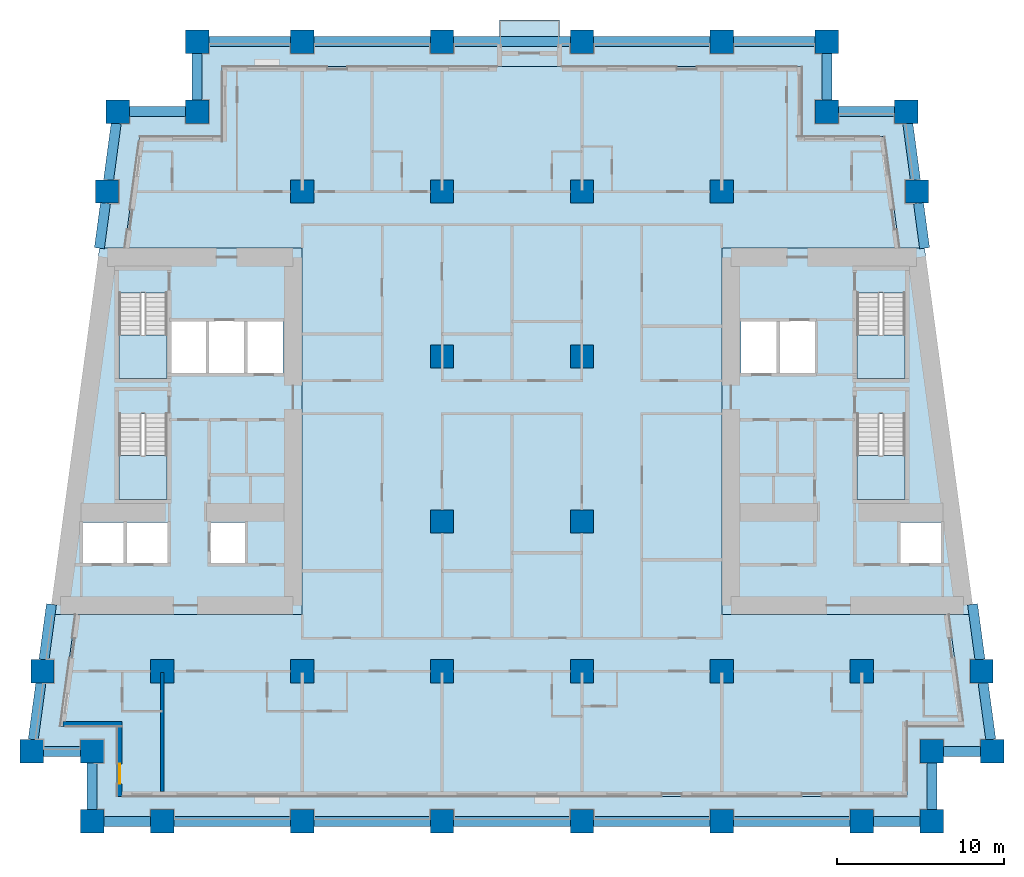
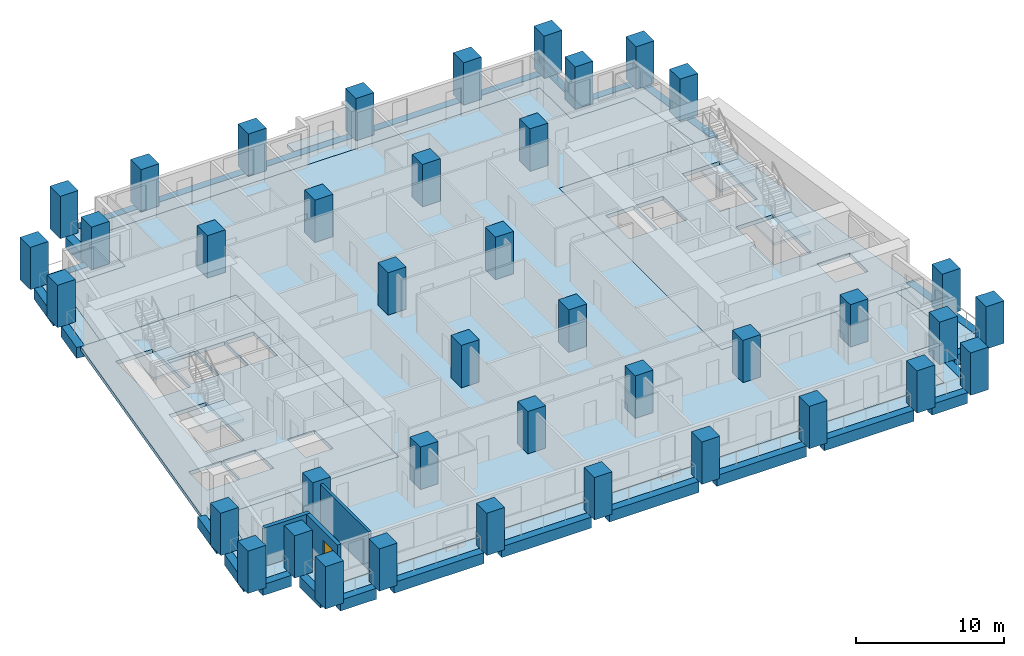
# One storey, part 1 of 13: 40 columns, 28 beams, 10 slabs, 3 walls, 1 door, 1 opening, 4 elements without a shape of their own.
"""IFC4 building model written with IfcOpenShell, lengths in metres."""

from ifc_helpers import new_model, si_unit, direction, frame, frame_2d, origin, origin_2d, place, context, subcontext, project, spatial, polyline, rectangle, outline, extrude, material, layer, layer_set, material_profile, profile_set, type_object, element, fill, aggregate, save


model = new_model("IFC4")

# Units and contexts
model_context = context("Model", 3, precision=1e-05, world=origin(), true_north=direction((0.0, 1.0)))
body_context = subcontext(model_context, "Body", "Model", "MODEL_VIEW")
ifc_project = project(units=[si_unit("LENGTHUNIT", "METRE"), si_unit("AREAUNIT", "SQUARE_METRE"), si_unit("VOLUMEUNIT", "CUBIC_METRE"), si_unit("PLANEANGLEUNIT", "RADIAN"), si_unit("MASSUNIT", "GRAM", prefix="KILO")], contexts=[model_context])

# Site, building, storey
site_placement = place(None, origin())
site = spatial("IfcSite", under=ifc_project, at=site_placement, CompositionType="ELEMENT")
building_placement = place(site_placement, origin())
building = spatial("IfcBuilding", under=site, at=building_placement, Name="Candeia Pilgrim Tower and Theatre", CompositionType="ELEMENT")
storey_placement = place(building_placement, frame((0.0, 0.0, 63.5)))
storey = spatial("IfcBuildingStorey", under=building, at=storey_placement, Name="L13", CompositionType="ELEMENT", Elevation=63.5)

# Columns
ifc_material_1 = material(Name="Concrete C80/95", Category="concrete")
ifc_material_profile_1 = material_profile(ifc_material_1, rectangle(XDim=1.39990234375, YDim=1.39990234375, at=origin_2d()))
ifc_profile_set_1 = profile_set([ifc_material_profile_1], Name="Concrete C80/95")
column_type = type_object("IfcColumnType", Name="RC 1400x1400 C80/95", PredefinedType="COLUMN", material=ifc_profile_set_1)
for number, where, z_axis, x_axis, name in (
    (1, (92.39990234375, 98.0, 0.0), (0.0, 0.0, 1.0), (1.0, 0.0, 0.0), "Column A1"),
    (2, (100.800048828125, 98.0, 0.0), (0.0, 0.0, 1.0), (1.0, 0.0, 0.0), "Column A2"),
    (3, (109.199951171875, 98.0, 0.0), (0.0, 0.0, 1.0), (1.0, 0.0, 0.0), "Column A3"),
    (4, (117.60009765625, 98.0, 0.0), (0.0, 0.0, 1.0), (1.0, 0.0, 0.0), "Column A4"),
    (5, (126.0, 98.0, 0.0), (0.0, 0.0, 1.0), (1.0, 0.0, 0.0), "Column A5"),
    (6, (134.39990234375, 98.0, 0.0), (0.0, 0.0, 1.0), (1.0, 0.0, 0.0), "Column A6"),
    (7, (88.199951171875, 98.0, 0.0), (0.0, 0.0, 1.0), (1.0, 0.0, 0.0), "Column AW"),
    (8, (138.60009765625, 98.0, 0.0), (0.0, 0.0, 1.0), (1.0, 0.0, 0.0), "Column AE"),
    (9, (88.199951171875, 102.199951171875, 0.0), (0.0, 0.0, 1.0), (1.0, 0.0, 0.0), "Column NSW"),
    (10, (138.60009765625, 102.199951171875, 0.0), (0.0, 0.0, 1.0), (1.0, 0.0, 0.0), "Column NSE"),
    (11, (94.5, 140.60009765625, 0.0), (0.0, 0.0, 1.0), (1.0, 0.0, 0.0), "Column NNW"),
    (12, (132.300048828125, 140.60009765625, 0.0), (0.0, 0.0, 1.0), (1.0, 0.0, 0.0), "Column NNE"),
    (13, (84.5654296875, 102.199951171875, 0.0), (0.0, 0.0, 1.0), (1.0, 0.0, 0.0), "Column LSW"),
    (14, (142.234619140625, 102.199951171875, 0.0), (0.0, 0.0, 1.0), (1.0, 0.0, 0.0), "Column LSE"),
    (15, (89.734619140625, 140.60009765625, 0.0), (0.0, 0.0, 1.0), (1.0, 0.0, 0.0), "Column LNW"),
    (16, (137.0654296875, 140.60009765625, 0.0), (0.0, 0.0, 1.0), (1.0, 0.0, 0.0), "Column LNE"),
    (17, (92.39990234375, 107.0, 0.0), (0.0, 0.0, 1.0), (1.0, 0.0, 0.0), "Column B1"),
    (18, (100.800048828125, 107.0, 0.0), (0.0, 0.0, 1.0), (1.0, 0.0, 0.0), "Column B2"),
    (19, (109.199951171875, 107.0, 0.0), (0.0, 0.0, 1.0), (1.0, 0.0, 0.0), "Column B3"),
    (20, (117.60009765625, 107.0, 0.0), (0.0, 0.0, 1.0), (1.0, 0.0, 0.0), "Column B4"),
    (21, (126.0, 107.0, 0.0), (0.0, 0.0, 1.0), (1.0, 0.0, 0.0), "Column B5"),
    (22, (134.39990234375, 107.0, 0.0), (0.0, 0.0, 1.0), (1.0, 0.0, 0.0), "Column B6"),
    (23, (85.21142578125, 107.0, 0.0), (0.0, 0.0, 1.0), (1.0, 0.0, 0.0), "Column BW"),
    (24, (141.58837890625, 107.0, 0.0), (0.0, 0.0, 1.0), (1.0, 0.0, 0.0), "Column BE"),
    (25, (109.199951171875, 116.0, 0.0), (0.0, 0.0, 1.0), (1.0, 0.0, 0.0), "Column C3"),
    (26, (117.60009765625, 116.0, 0.0), (0.0, 0.0, 1.0), (1.0, 0.0, 0.0), "Column C4"),
    (27, (109.199951171875, 125.89990234375, 0.0), (0.0, 0.0, 1.0), (1.0, 0.0, 0.0), "Column D3"),
    (28, (117.60009765625, 125.89990234375, 0.0), (0.0, 0.0, 1.0), (1.0, 0.0, 0.0), "Column D4"),
    (29, (100.800048828125, 135.800048828125, 0.0), (0.0, 0.0, 1.0), (1.0, 0.0, 0.0), "Column E2"),
    (30, (109.199951171875, 135.800048828125, 0.0), (0.0, 0.0, 1.0), (1.0, 0.0, 0.0), "Column E3"),
    (31, (117.60009765625, 135.800048828125, 0.0), (0.0, 0.0, 1.0), (1.0, 0.0, 0.0), "Column E4"),
    (32, (126.0, 135.800048828125, 0.0), (0.0, 0.0, 1.0), (1.0, 0.0, 0.0), "Column E5"),
    (33, (89.08837890625, 135.800048828125, 0.0), (0.0, 0.0, 1.0), (1.0, 0.0, 0.0), "Column EW"),
    (34, (137.71142578125, 135.800048828125, 0.0), (0.0, 0.0, 1.0), (1.0, 0.0, 0.0), "Column EE"),
    (35, (100.800048828125, 144.800048828125, 0.0), (0.0, 0.0, 1.0), (1.0, 0.0, 0.0), "Column F2"),
    (36, (109.199951171875, 144.800048828125, 0.0), (0.0, 0.0, 1.0), (1.0, 0.0, 0.0), "Column F3"),
    (37, (117.60009765625, 144.800048828125, 0.0), (0.0, 0.0, 1.0), (1.0, 0.0, 0.0), "Column F4"),
    (38, (126.0, 144.800048828125, 0.0), (0.0, 0.0, 1.0), (1.0, 0.0, 0.0), "Column F5"),
    (39, (94.5, 144.800048828125, 0.0), (0.0, 0.0, 1.0), (1.0, 0.0, 0.0), "Column FW"),
    (40, (132.300048828125, 144.800048828125, 0.0), (0.0, 0.0, 1.0), (1.0, 0.0, 0.0), "Column FE"),
):
    element("IfcColumn", number, at=place(storey_placement, frame(where, z_axis=z_axis, x_axis=x_axis)), inside=storey, type_object=column_type, Name=name, PredefinedType="COLUMN", context=body_context, shape_type="SweptSolid", body=[
        extrude(rectangle(XDim=1.39990234375, YDim=1.39990234375, at=origin_2d()), origin(), (0.0, 0.0, 1.0), 3.5),
    ])

# Beams
ifc_material_profile_2 = material_profile(ifc_material_1, rectangle(XDim=0.60009765625, YDim=0.89990234375, at=origin_2d()))
ifc_profile_set_2 = profile_set([ifc_material_profile_2], Name="Concrete C80/95")
beam_type = type_object("IfcBeamType", Name="RC 600x900 C80/95", PredefinedType="BEAM", material=ifc_profile_set_2)
beam_1_placement = place(storey_placement, frame((88.89990234375, 98.0, -0.449951171875), z_axis=(1.0, 0.0, 0.0), x_axis=(0.0, 1.0, 0.0)))
element("IfcBeam", 41, at=beam_1_placement, inside=storey, type_object=beam_type, Name="Spandrel beam L13-01", PredefinedType="BEAM", context=body_context, shape_type="SweptSolid", body=[
    extrude(rectangle(XDim=0.60009765625, YDim=0.89990234375, at=origin_2d()), origin(), (0.0, 0.0, 1.0), 2.800048828125),
])
for number, where, z_axis, x_axis, name in (
    (42, (93.10009765625, 98.0, -0.449951171875), (1.0, 0.0, 0.0), (0.0, 1.0, 0.0), "Spandrel beam L13-02"),
    (43, (101.5, 98.0, -0.449951171875), (1.0, 0.0, 0.0), (0.0, 1.0, 0.0), "Spandrel beam L13-03"),
    (44, (109.89990234375, 98.0, -0.449951171875), (1.0, 0.0, 0.0), (0.0, 1.0, 0.0), "Spandrel beam L13-04"),
    (45, (118.300048828125, 98.0, -0.449951171875), (1.0, 0.0, 0.0), (0.0, 1.0, 0.0), "Spandrel beam L13-05"),
    (46, (126.699951171875, 98.0, -0.449951171875), (1.0, 0.0, 0.0), (0.0, 1.0, 0.0), "Spandrel beam L13-06"),
):
    element("IfcBeam", number, at=place(storey_placement, frame(where, z_axis=z_axis, x_axis=x_axis)), inside=storey, type_object=beam_type, Name=name, PredefinedType="BEAM", context=body_context, shape_type="SweptSolid", body=[
        extrude(rectangle(XDim=0.60009765625, YDim=0.89990234375, at=origin_2d()), origin(), (0.0, 0.0, 1.0), 7.0),
    ])
beam_2_placement = place(storey_placement, frame((135.10009765625, 98.0, -0.449951171875), z_axis=(1.0, 0.0, 0.0), x_axis=(0.0, 1.0, 0.0)))
element("IfcBeam", 47, at=beam_2_placement, inside=storey, type_object=beam_type, Name="Spandrel beam L13-07", PredefinedType="BEAM", context=body_context, shape_type="SweptSolid", body=[
    extrude(rectangle(XDim=0.60009765625, YDim=0.89990234375, at=origin_2d()), origin(), (0.0, 0.0, 1.0), 2.7998046875),
])
beam_3_placement = place(storey_placement, frame((138.60009765625, 98.699951171875, -0.449951171875), z_axis=(0.0, 1.0, 0.0), x_axis=(-1.0, 0.0, 0.0)))
element("IfcBeam", 48, at=beam_3_placement, inside=storey, type_object=beam_type, Name="Spandrel beam L13-08", PredefinedType="BEAM", context=body_context, shape_type="SweptSolid", body=[
    extrude(rectangle(XDim=0.60009765625, YDim=0.89990234375, at=origin_2d()), origin(), (0.0, 0.0, 1.0), 2.800048828125),
])
beam_4_placement = place(storey_placement, frame((139.300048828125, 102.199951171875, -0.449951171875), z_axis=(1.0, 0.0, 0.0), x_axis=(0.0, 1.0, 0.0)))
element("IfcBeam", 49, at=beam_4_placement, inside=storey, type_object=beam_type, Name="Spandrel beam L13-09", PredefinedType="BEAM", context=body_context, shape_type="SweptSolid", body=[
    extrude(rectangle(XDim=0.60009765625, YDim=0.89990234375, at=origin_2d()), origin(), (0.0, 0.0, 1.0), 2.234619140625),
])
beam_5_placement = place(storey_placement, frame((142.140380859375, 102.89990234375, -0.449951171875), z_axis=(-0.133426797477, 0.991058671177, 0.0), x_axis=(-0.991058671177, -0.133426797477, 0.0)))
element("IfcBeam", 50, at=beam_5_placement, inside=storey, type_object=beam_type, Name="Spandrel beam L13-10", PredefinedType="BEAM", context=body_context, shape_type="SweptSolid", body=[
    extrude(rectangle(XDim=0.60009765625, YDim=0.89990234375, at=origin_2d()), origin(), (0.0, 0.0, 1.0), 3.430908203125),
])
beam_6_placement = place(storey_placement, frame((141.494140625, 107.699951171875, -0.449951171875), z_axis=(-0.13337488337, 0.991065659019, 0.0), x_axis=(-0.991065659019, -0.13337488337, 0.0)))
element("IfcBeam", 51, at=beam_6_placement, inside=storey, type_object=beam_type, Name="Spandrel beam L13-11", PredefinedType="BEAM", context=body_context, shape_type="SweptSolid", body=[
    extrude(rectangle(XDim=0.60009765625, YDim=0.89990234375, at=origin_2d()), origin(), (0.0, 0.0, 1.0), 3.353515625),
])
beam_7_placement = place(storey_placement, frame((138.169189453125, 132.39990234375, -0.449951171875), z_axis=(-0.133425552527, 0.991058838784, 0.0), x_axis=(-0.991058838784, -0.133425552527, 0.0)))
element("IfcBeam", 52, at=beam_7_placement, inside=storey, type_object=beam_type, Name="Spandrel beam L13-12", PredefinedType="BEAM", context=body_context, shape_type="SweptSolid", body=[
    extrude(rectangle(XDim=0.60009765625, YDim=0.89990234375, at=origin_2d()), origin(), (0.0, 0.0, 1.0), 2.724609375),
])
beam_8_placement = place(storey_placement, frame((137.6171875, 136.5, -0.449951171875), z_axis=(-0.13336630817, 0.991066813008, 0.0), x_axis=(-0.991066813008, -0.13336630817, 0.0)))
element("IfcBeam", 53, at=beam_8_placement, inside=storey, type_object=beam_type, Name="Spandrel beam L13-13", PredefinedType="BEAM", context=body_context, shape_type="SweptSolid", body=[
    extrude(rectangle(XDim=0.60009765625, YDim=0.89990234375, at=origin_2d()), origin(), (0.0, 0.0, 1.0), 3.4306640625),
])
beam_9_placement = place(storey_placement, frame((136.365478515625, 140.60009765625, -0.449951171875), z_axis=(-1.0, 0.0, 0.0), x_axis=(0.0, -1.0, 0.0)))
element("IfcBeam", 54, at=beam_9_placement, inside=storey, type_object=beam_type, Name="Spandrel beam L13-14", PredefinedType="BEAM", context=body_context, shape_type="SweptSolid", body=[
    extrude(rectangle(XDim=0.60009765625, YDim=0.89990234375, at=origin_2d()), origin(), (0.0, 0.0, 1.0), 3.365478515625),
])
beam_10_placement = place(storey_placement, frame((132.300048828125, 141.300048828125, -0.449951171875), z_axis=(0.0, 1.0, 0.0), x_axis=(-1.0, 0.0, 0.0)))
element("IfcBeam", 55, at=beam_10_placement, inside=storey, type_object=beam_type, Name="Spandrel beam L13-15", PredefinedType="BEAM", context=body_context, shape_type="SweptSolid", body=[
    extrude(rectangle(XDim=0.60009765625, YDim=0.89990234375, at=origin_2d()), origin(), (0.0, 0.0, 1.0), 2.800048828125),
])
beam_11_placement = place(storey_placement, frame((131.60009765625, 144.800048828125, -0.449951171875), z_axis=(-1.0, 0.0, 0.0), x_axis=(0.0, -1.0, 0.0)))
element("IfcBeam", 56, at=beam_11_placement, inside=storey, type_object=beam_type, Name="Spandrel beam L13-16", PredefinedType="BEAM", context=body_context, shape_type="SweptSolid", body=[
    extrude(rectangle(XDim=0.60009765625, YDim=0.89990234375, at=origin_2d()), origin(), (0.0, 0.0, 1.0), 4.900146484375),
])
for number, where, z_axis, x_axis, name in (
    (57, (125.300048828125, 144.800048828125, -0.449951171875), (-1.0, 0.0, 0.0), (0.0, -1.0, 0.0), "Spandrel beam L13-17"),
    (58, (116.89990234375, 144.800048828125, -0.449951171875), (-1.0, 0.0, 0.0), (0.0, -1.0, 0.0), "Spandrel beam L13-18"),
    (59, (108.5, 144.800048828125, -0.449951171875), (-1.0, 0.0, 0.0), (0.0, -1.0, 0.0), "Spandrel beam L13-19"),
):
    element("IfcBeam", number, at=place(storey_placement, frame(where, z_axis=z_axis, x_axis=x_axis)), inside=storey, type_object=beam_type, Name=name, PredefinedType="BEAM", context=body_context, shape_type="SweptSolid", body=[
        extrude(rectangle(XDim=0.60009765625, YDim=0.89990234375, at=origin_2d()), origin(), (0.0, 0.0, 1.0), 7.0),
    ])
beam_12_placement = place(storey_placement, frame((100.10009765625, 144.800048828125, -0.449951171875), z_axis=(-1.0, 0.0, 0.0), x_axis=(0.0, -1.0, 0.0)))
element("IfcBeam", 60, at=beam_12_placement, inside=storey, type_object=beam_type, Name="Spandrel beam L13-20", PredefinedType="BEAM", context=body_context, shape_type="SweptSolid", body=[
    extrude(rectangle(XDim=0.60009765625, YDim=0.89990234375, at=origin_2d()), origin(), (0.0, 0.0, 1.0), 4.900146484375),
])
beam_13_placement = place(storey_placement, frame((94.5, 144.10009765625, -0.449951171875), z_axis=(0.0, -1.0, 0.0), x_axis=(1.0, 0.0, 0.0)))
element("IfcBeam", 61, at=beam_13_placement, inside=storey, type_object=beam_type, Name="Spandrel beam L13-21", PredefinedType="BEAM", context=body_context, shape_type="SweptSolid", body=[
    extrude(rectangle(XDim=0.60009765625, YDim=0.89990234375, at=origin_2d()), origin(), (0.0, 0.0, 1.0), 2.800048828125),
])
beam_14_placement = place(storey_placement, frame((93.800048828125, 140.60009765625, -0.449951171875), z_axis=(-1.0, 0.0, 0.0), x_axis=(0.0, -1.0, 0.0)))
element("IfcBeam", 62, at=beam_14_placement, inside=storey, type_object=beam_type, Name="Spandrel beam L13-22", PredefinedType="BEAM", context=body_context, shape_type="SweptSolid", body=[
    extrude(rectangle(XDim=0.60009765625, YDim=0.89990234375, at=origin_2d()), origin(), (0.0, 0.0, 1.0), 3.365478515625),
])
beam_15_placement = place(storey_placement, frame((89.640380859375, 139.89990234375, -0.449951171875), z_axis=(-0.133436208017, -0.991057404185, 0.0), x_axis=(0.991057404185, -0.133436208017, 0.0)))
element("IfcBeam", 63, at=beam_15_placement, inside=storey, type_object=beam_type, Name="Spandrel beam L13-23", PredefinedType="BEAM", context=body_context, shape_type="SweptSolid", body=[
    extrude(rectangle(XDim=0.60009765625, YDim=0.89990234375, at=origin_2d()), origin(), (0.0, 0.0, 1.0), 3.4306640625),
])
beam_16_placement = place(storey_placement, frame((88.994140625, 135.10009765625, -0.449951171875), z_axis=(-0.133337538686, -0.991070684047, 0.0), x_axis=(0.991070684047, -0.133337538686, 0.0)))
element("IfcBeam", 64, at=beam_16_placement, inside=storey, type_object=beam_type, Name="Spandrel beam L13-24", PredefinedType="BEAM", context=body_context, shape_type="SweptSolid", body=[
    extrude(rectangle(XDim=0.60009765625, YDim=0.89990234375, at=origin_2d()), origin(), (0.0, 0.0, 1.0), 2.724609375),
])
beam_17_placement = place(storey_placement, frame((85.753173828125, 111.0234375, -0.449951171875), z_axis=(-0.133446390132, -0.991056033209, 0.0), x_axis=(0.991056033209, -0.133446390132, 0.0)))
element("IfcBeam", 65, at=beam_17_placement, inside=storey, type_object=beam_type, Name="Spandrel beam L13-25", PredefinedType="BEAM", context=body_context, shape_type="SweptSolid", body=[
    extrude(rectangle(XDim=0.60009765625, YDim=0.89990234375, at=origin_2d()), origin(), (0.0, 0.0, 1.0), 3.353515625),
])
beam_18_placement = place(storey_placement, frame((85.1171875, 106.300048828125, -0.449951171875), z_axis=(-0.133356902381, -0.991068078685, 0.0), x_axis=(0.991068078685, -0.133356902381, 0.0)))
element("IfcBeam", 66, at=beam_18_placement, inside=storey, type_object=beam_type, Name="Spandrel beam L13-26", PredefinedType="BEAM", context=body_context, shape_type="SweptSolid", body=[
    extrude(rectangle(XDim=0.60009765625, YDim=0.89990234375, at=origin_2d()), origin(), (0.0, 0.0, 1.0), 3.430908203125),
])
beam_19_placement = place(storey_placement, frame((85.265380859375, 102.199951171875, -0.449951171875), z_axis=(1.0, 0.0, 0.0), x_axis=(0.0, 1.0, 0.0)))
element("IfcBeam", 67, at=beam_19_placement, inside=storey, type_object=beam_type, Name="Spandrel beam L13-27", PredefinedType="BEAM", context=body_context, shape_type="SweptSolid", body=[
    extrude(rectangle(XDim=0.60009765625, YDim=0.89990234375, at=origin_2d()), origin(), (0.0, 0.0, 1.0), 2.234619140625),
])
beam_20_placement = place(storey_placement, frame((88.199951171875, 101.5, -0.449951171875), z_axis=(0.0, -1.0, 0.0), x_axis=(1.0, 0.0, 0.0)))
element("IfcBeam", 68, at=beam_20_placement, inside=storey, type_object=beam_type, Name="Spandrel beam L13-28", PredefinedType="BEAM", context=body_context, shape_type="SweptSolid", body=[
    extrude(rectangle(XDim=0.60009765625, YDim=0.89990234375, at=origin_2d()), origin(), (0.0, 0.0, 1.0), 2.800048828125),
])

# Slabs
ifc_material_2 = material(Name="Concrete C40/50", Category="concrete")
ifc_layer_1 = layer(ifc_material_2, 0.25)
ifc_layer_set_1 = layer_set([ifc_layer_1], Name="BK1 balcony slab 250")
slab_type_1 = type_object("IfcSlabType", Name="BK1 balcony slab 250", PredefinedType="USERDEFINED", material=ifc_layer_set_1)
slab_1_placement = place(storey_placement, frame((0.0, 0.0, -0.25)))
element("IfcSlab", 69, at=slab_1_placement, inside=storey, type_object=slab_type_1, Name="Balcony L13", ObjectType="BALCONY", PredefinedType="USERDEFINED", context=body_context, shape_type="SweptSolid", body=[
    extrude(outline(polyline([(112.64990234375, 144.5), (116.25, 144.5), (116.25, 146.10009765625), (112.64990234375, 146.10009765625), (112.64990234375, 144.5)])), origin(), (0.0, 0.0, 1.0), 0.25),
])
ifc_material_3 = material(Name="Concrete C60/75", Category="concrete")
ifc_layer_2 = layer(ifc_material_3, 0.320068359375)
ifc_layer_set_2 = layer_set([ifc_layer_2], Name="FS-CORE 320 core floor")
slab_type_2 = type_object("IfcSlabType", Name="FS-CORE 320 core floor", PredefinedType="FLOOR", material=ifc_layer_set_2)
slab_2_placement = place(storey_placement, frame((0.0, 0.0, -0.320068359375)))
element("IfcSlab", 70, at=slab_2_placement, inside=storey, type_object=slab_type_2, Name="Core floor W L13", PredefinedType="FLOOR", context=body_context, shape_type="SweptSolid", body=[
    extrude(outline(polyline([(100.800048828125, 132.39990234375), (100.800048828125, 110.39990234375), (85.669189453125, 110.39990234375), (88.630859375, 132.39990234375), (100.800048828125, 132.39990234375)]), holes=[polyline([(97.458984375, 128.050048828125), (97.458984375, 124.85009765625), (99.64990234375, 124.85009765625), (99.64990234375, 128.050048828125), (97.458984375, 128.050048828125)]), polyline([(95.277099609375, 115.949951171875), (95.277099609375, 113.449951171875), (97.41357421875, 113.449951171875), (97.41357421875, 115.949951171875), (95.277099609375, 115.949951171875)]), polyline([(95.16796875, 128.050048828125), (95.16796875, 124.85009765625), (97.35888671875, 124.85009765625), (97.35888671875, 128.050048828125), (95.16796875, 128.050048828125)]), polyline([(92.876953125, 128.050048828125), (92.876953125, 124.85009765625), (95.068115234375, 124.85009765625), (95.068115234375, 128.050048828125), (92.876953125, 128.050048828125)]), polyline([(90.228515625, 115.949951171875), (90.228515625, 113.449951171875), (92.777099609375, 113.449951171875), (92.777099609375, 115.949951171875), (90.228515625, 115.949951171875)]), polyline([(89.802001953125, 122.455078125), (89.802001953125, 117.324951171875), (92.701904296875, 117.324951171875), (92.701904296875, 122.455078125), (89.802001953125, 122.455078125)]), polyline([(89.802001953125, 129.705078125), (89.802001953125, 124.574951171875), (92.701904296875, 124.574951171875), (92.701904296875, 129.705078125), (89.802001953125, 129.705078125)]), polyline([(87.580078125, 115.949951171875), (87.580078125, 113.449951171875), (90.12841796875, 113.449951171875), (90.12841796875, 115.949951171875), (87.580078125, 115.949951171875)])]), origin(), (0.0, 0.0, 1.0), 0.320068359375),
])
slab_3_placement = place(storey_placement, frame((0.0, 0.0, -0.320068359375)))
element("IfcSlab", 71, at=slab_3_placement, inside=storey, type_object=slab_type_2, Name="Core floor E L13", PredefinedType="FLOOR", context=body_context, shape_type="SweptSolid", body=[
    extrude(outline(polyline([(138.169189453125, 132.39990234375), (141.130859375, 110.39990234375), (126.0, 110.39990234375), (126.0, 132.39990234375), (138.169189453125, 132.39990234375)]), holes=[polyline([(136.67138671875, 115.949951171875), (136.67138671875, 113.449951171875), (139.219970703125, 113.449951171875), (139.219970703125, 115.949951171875), (136.67138671875, 115.949951171875)]), polyline([(134.097900390625, 117.324951171875), (136.998046875, 117.324951171875), (136.998046875, 122.455078125), (134.097900390625, 122.455078125), (134.097900390625, 117.324951171875)]), polyline([(134.097900390625, 129.705078125), (134.097900390625, 124.574951171875), (136.998046875, 124.574951171875), (136.998046875, 129.705078125), (134.097900390625, 129.705078125)]), polyline([(131.632080078125, 128.050048828125), (129.44091796875, 128.050048828125), (129.44091796875, 124.85009765625), (131.632080078125, 124.85009765625), (131.632080078125, 128.050048828125)]), polyline([(127.14990234375, 128.050048828125), (127.14990234375, 124.85009765625), (129.341064453125, 124.85009765625), (129.341064453125, 128.050048828125), (127.14990234375, 128.050048828125)])]), origin(), (0.0, 0.0, 1.0), 0.320068359375),
])
ifc_material_4 = material(Name="Concrete C50/60", Category="concrete")
ifc_layer_3 = layer(ifc_material_4, 0.320068359375)
ifc_layer_set_3 = layer_set([ifc_layer_3], Name="Floor slab 320 C50/60")
slab_type_3 = type_object("IfcSlabType", Name="Floor slab 320 C50/60", PredefinedType="FLOOR", material=ifc_layer_set_3)
slab_4_placement = place(storey_placement, frame((0.0, 0.0, -0.320068359375)))
element("IfcSlab", 72, at=slab_4_placement, inside=storey, type_object=slab_type_3, Name="Floor slab L13", PredefinedType="FLOOR", context=body_context, shape_type="SweptSolid", body=[
    extrude(outline(polyline([(96.0, 139.10009765625), (96.0, 143.300048828125), (130.800048828125, 143.300048828125), (130.800048828125, 139.10009765625), (135.753662109375, 139.10009765625), (136.65576171875, 132.39990234375), (126.0, 132.39990234375), (126.0, 110.39990234375), (139.6171875, 110.39990234375), (140.51904296875, 103.699951171875), (137.10009765625, 103.699951171875), (137.10009765625, 99.5), (89.699951171875, 99.5), (89.699951171875, 103.699951171875), (86.28076171875, 103.699951171875), (87.182861328125, 110.39990234375), (100.800048828125, 110.39990234375), (100.800048828125, 132.39990234375), (90.144287109375, 132.39990234375), (91.046142578125, 139.10009765625), (96.0, 139.10009765625)])), origin(), (0.0, 0.0, 1.0), 0.320068359375),
])
ifc_layer_4 = layer(ifc_material_2, 0.25)
ifc_layer_set_4 = layer_set([ifc_layer_4], Name="Loggia slab 250 C40/50")
slab_type_4 = type_object("IfcSlabType", Name="Loggia slab 250 C40/50", PredefinedType="FLOOR", material=ifc_layer_set_4)
slab_5_placement = place(storey_placement, frame((0.0, 0.0, -0.25)))
element("IfcSlab", 73, at=slab_5_placement, inside=storey, type_object=slab_type_4, Name="Loggia slab L13 1", PredefinedType="FLOOR", context=body_context, shape_type="SweptSolid", body=[
    extrude(outline(polyline([(87.182861328125, 110.39990234375), (86.28076171875, 103.699951171875), (89.699951171875, 103.699951171875), (89.699951171875, 99.5), (137.10009765625, 99.5), (137.10009765625, 103.699951171875), (140.51904296875, 103.699951171875), (139.6171875, 110.39990234375), (140.828125, 110.39990234375), (141.8916015625, 102.5), (138.300048828125, 102.5), (138.300048828125, 98.300048828125), (88.5, 98.300048828125), (88.5, 102.5), (84.908447265625, 102.5), (85.971923828125, 110.39990234375), (87.182861328125, 110.39990234375)])), origin(), (0.0, 0.0, 1.0), 0.25),
])
slab_6_placement = place(storey_placement, frame((0.0, 0.0, -0.25)))
element("IfcSlab", 74, at=slab_6_placement, inside=storey, type_object=slab_type_4, Name="Loggia slab L13 2", PredefinedType="FLOOR", context=body_context, shape_type="SweptSolid", body=[
    extrude(outline(polyline([(136.65576171875, 132.39990234375), (135.753662109375, 139.10009765625), (130.800048828125, 139.10009765625), (130.800048828125, 143.300048828125), (96.0, 143.300048828125), (96.0, 139.10009765625), (91.046142578125, 139.10009765625), (90.144287109375, 132.39990234375), (88.93359375, 132.39990234375), (89.996826171875, 140.300048828125), (94.800048828125, 140.300048828125), (94.800048828125, 144.5), (132.0, 144.5), (132.0, 140.300048828125), (136.802978515625, 140.300048828125), (137.866455078125, 132.39990234375), (136.65576171875, 132.39990234375)])), origin(), (0.0, 0.0, 1.0), 0.25),
])

# Stair, slab
stair_type = type_object("IfcStairType", Name="ST-TWR dog-leg escape stair", PredefinedType="HALF_TURN_STAIR", material=ifc_material_2)
stair_1_placement = place(storey_placement, origin())
stair_1 = element("IfcStair", 75, at=stair_1_placement, inside=storey, type_object=stair_type, Name="L13 Escape stair ST1", PredefinedType="HALF_TURN_STAIR")
ifc_layer_5 = layer(ifc_material_2, 0.199951171875)
ifc_layer_set_5 = layer_set([ifc_layer_5], Name="SL-LANDING stair landing")
slab_type_5 = type_object("IfcSlabType", Name="SL-LANDING stair landing", PredefinedType="LANDING", material=ifc_layer_set_5)
slab_7_placement = place(storey_placement, frame((0.0, 0.0, 1.550048828125)))
slab_7 = element("IfcSlab", 76, at=slab_7_placement, type_object=slab_type_5, Name="ST1 landing 1", PredefinedType="LANDING", context=body_context, shape_type="SweptSolid", body=[
    extrude(outline(polyline([(89.802001953125, 119.955078125), (89.802001953125, 117.324951171875), (92.701904296875, 117.324951171875), (92.701904296875, 119.955078125), (89.802001953125, 119.955078125)])), origin(), (0.0, 0.0, 1.0), 0.199951171875),
])
aggregate(stair_1, [slab_7])

stair_2_placement = place(storey_placement, origin())
stair_2 = element("IfcStair", 77, at=stair_2_placement, inside=storey, type_object=stair_type, Name="L13 Escape stair ST2", PredefinedType="HALF_TURN_STAIR")
slab_8_placement = place(storey_placement, frame((0.0, 0.0, 1.550048828125)))
slab_8 = element("IfcSlab", 78, at=slab_8_placement, type_object=slab_type_5, Name="ST2 landing 1", PredefinedType="LANDING", context=body_context, shape_type="SweptSolid", body=[
    extrude(outline(polyline([(89.802001953125, 127.205078125), (89.802001953125, 124.574951171875), (92.701904296875, 124.574951171875), (92.701904296875, 127.205078125), (89.802001953125, 127.205078125)])), origin(), (0.0, 0.0, 1.0), 0.199951171875),
])
aggregate(stair_2, [slab_8])

stair_3_placement = place(storey_placement, origin())
stair_3 = element("IfcStair", 79, at=stair_3_placement, inside=storey, type_object=stair_type, Name="L13 Escape stair ST3", PredefinedType="HALF_TURN_STAIR")
slab_9_placement = place(storey_placement, frame((0.0, 0.0, 1.550048828125)))
slab_9 = element("IfcSlab", 80, at=slab_9_placement, type_object=slab_type_5, Name="ST3 landing 1", PredefinedType="LANDING", context=body_context, shape_type="SweptSolid", body=[
    extrude(outline(polyline([(134.097900390625, 119.955078125), (134.097900390625, 117.324951171875), (136.998046875, 117.324951171875), (136.998046875, 119.955078125), (134.097900390625, 119.955078125)])), origin(), (0.0, 0.0, 1.0), 0.199951171875),
])
aggregate(stair_3, [slab_9])

stair_4_placement = place(storey_placement, origin())
stair_4 = element("IfcStair", 81, at=stair_4_placement, inside=storey, type_object=stair_type, Name="L13 Escape stair ST4", PredefinedType="HALF_TURN_STAIR")
slab_10_placement = place(storey_placement, frame((0.0, 0.0, 1.550048828125)))
slab_10 = element("IfcSlab", 82, at=slab_10_placement, type_object=slab_type_5, Name="ST4 landing 1", PredefinedType="LANDING", context=body_context, shape_type="SweptSolid", body=[
    extrude(outline(polyline([(134.097900390625, 127.205078125), (134.097900390625, 124.574951171875), (136.998046875, 124.574951171875), (136.998046875, 127.205078125), (134.097900390625, 127.205078125)])), origin(), (0.0, 0.0, 1.0), 0.199951171875),
])
aggregate(stair_4, [slab_10])

# Wall
ifc_material_5 = material(Name="Ceramic block masonry", Category="masonry")
ifc_layer_6 = layer(ifc_material_5, 0.300048828125)
ifc_layer_set_6 = layer_set([ifc_layer_6], Name="EW1 glazing-line wall 300")
wall_type_1 = type_object("IfcWallType", Name="EW1 glazing-line wall 300", PredefinedType="SOLIDWALL", material=ifc_layer_set_6)
wall_1_placement = place(storey_placement, frame((86.452392578125, 103.85009765625, 0.0), z_axis=(0.0, 0.0, 1.0), x_axis=(1.0, 0.0, 0.0)))
element("IfcWall", 83, at=wall_1_placement, inside=storey, type_object=wall_type_1, Name="External wall L13-10.0", PredefinedType="SOLIDWALL", context=body_context, shape_type="SweptSolid", body=[
    extrude(rectangle(XDim=3.547607421875, YDim=0.300048828125, at=frame_2d((1.77392578125, 0.0))), origin(), (0.0, 0.0, 1.0), 3.179931640625),
])

# Wall, opening, door
wall_2_placement = place(storey_placement, frame((89.85009765625, 103.85009765625, 0.0), z_axis=(0.0, 0.0, 1.0), x_axis=(0.0, -1.0, 0.0)))
wall_2 = element("IfcWall", 84, at=wall_2_placement, inside=storey, type_object=wall_type_1, Name="External wall L13-11.0", PredefinedType="SOLIDWALL", context=body_context, shape_type="SweptSolid", body=[
    extrude(rectangle(XDim=4.35009765625, YDim=0.300048828125, at=frame_2d((2.175048828125, 0.0))), origin(), (0.0, 0.0, 1.0), 3.179931640625),
])
opening_placement = place(wall_2_placement, frame((2.39990234375, 0.0, 0.0)))
opening = element("IfcOpeningElement", 85, at=opening_placement, cuts=wall_2, Name="Opening L13-ED156", PredefinedType="OPENING", context=body_context, shape_type="SweptSolid", body=[
    extrude(rectangle(XDim=1.199951171875, YDim=2.39990234375, at=frame_2d((0.60009765625, 1.199951171875))), frame((0.0, 0.16015625, 0.0), z_axis=(0.0, -1.0, 0.0), x_axis=(1.0, 0.0, 0.0)), (0.0, 0.0, 1.0), 0.320068359375),
])
ifc_material_6 = material(Name="Aluminium framed glazed door", Category="aluminium")
door_type = type_object("IfcDoorType", Name="Loggia door 1200x2400", OperationType="DOUBLE_DOOR_SINGLE_SWING", PredefinedType="DOOR", material=ifc_material_6)
door_placement = place(opening_placement, origin())
door = element("IfcDoor", 86, at=door_placement, inside=storey, type_object=door_type, Name="Loggia door L13-ED156", OperationType="DOUBLE_DOOR_SINGLE_SWING", OverallHeight=2.39990234375, OverallWidth=1.199951171875, PredefinedType="DOOR", context=body_context, shape_type="SweptSolid", body=[
    extrude(rectangle(XDim=1.199951171875, YDim=2.39990234375, at=frame_2d((0.60009765625, 1.199951171875))), frame((0.0, 0.02490234375, 0.0), z_axis=(0.0, -1.0, 0.0), x_axis=(1.0, 0.0, 0.0)), (0.0, 0.0, 1.0), 0.050048828125),
])
fill(opening, door)

# Wall
ifc_material_7 = material(Name="Gypsum board partition on steel studs", Category="steel")
ifc_layer_7 = layer(ifc_material_7, 0.199951171875)
ifc_layer_set_7 = layer_set([ifc_layer_7], Name="PW-200 party wall")
wall_type_2 = type_object("IfcWallType", Name="PW-200 party wall", PredefinedType="PARTITIONING", material=ifc_layer_set_7)
wall_3_placement = place(storey_placement, frame((92.39990234375, 99.7900390625, 0.0), z_axis=(0.0, 0.0, 1.0), x_axis=(0.0, 1.0, 0.0)))
element("IfcWall", 87, at=wall_3_placement, inside=storey, type_object=wall_type_2, Name="Party wall L13-060", PredefinedType="PARTITIONING", context=body_context, shape_type="SweptSolid", body=[
    extrude(rectangle(XDim=7.135009765625, YDim=0.199951171875, at=frame_2d((3.5673828125, 0.0))), origin(), (0.0, 0.0, 1.0), 3.179931640625),
])

save(model, "model.ifc")
